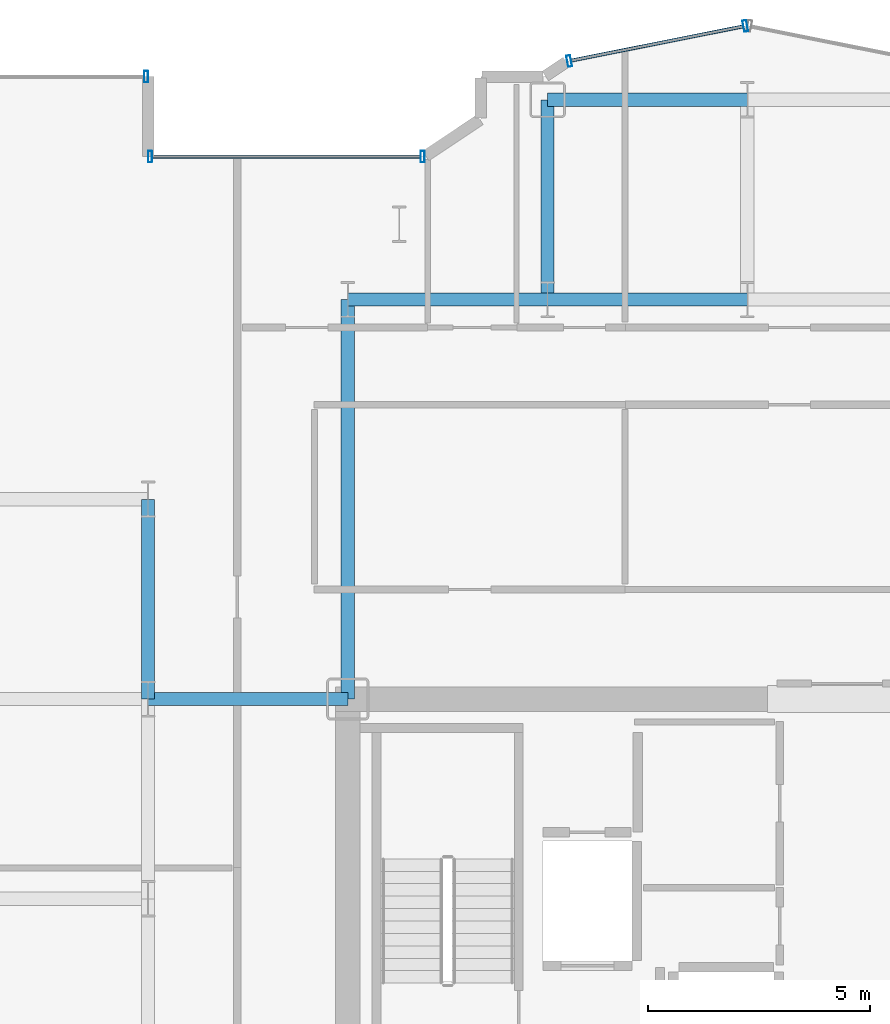
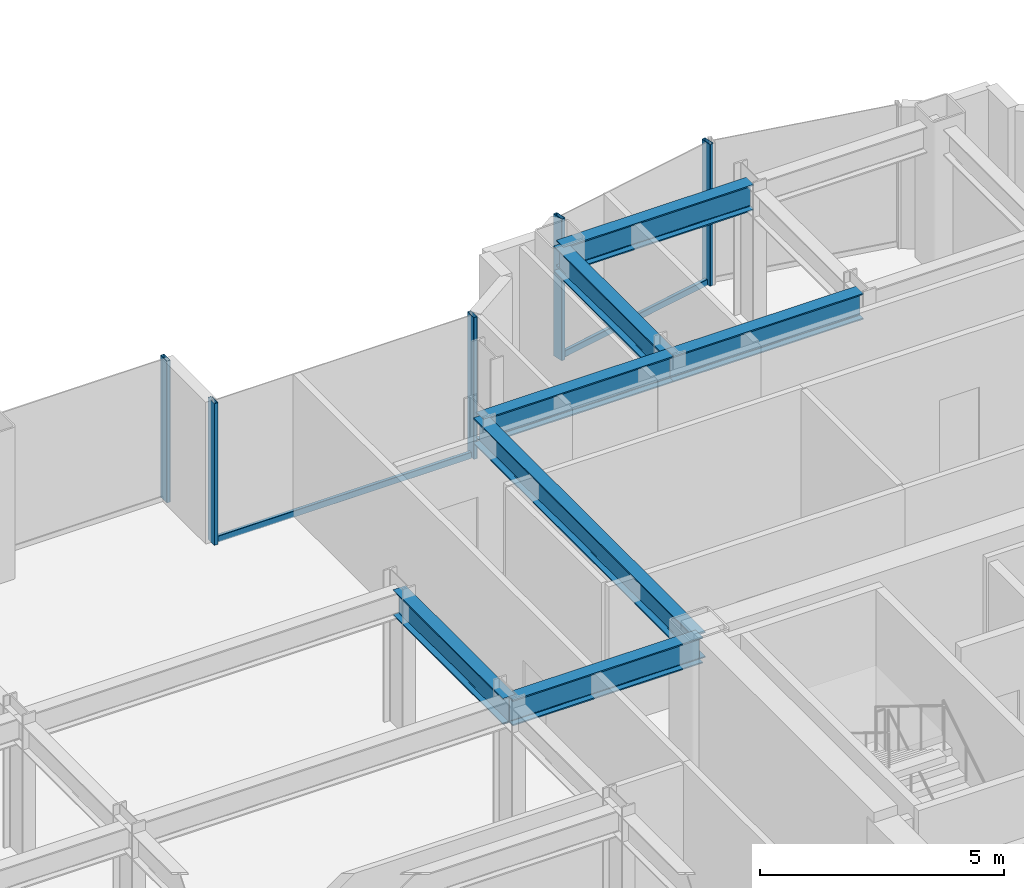
# One storey, part 11 of 23: 7 beams, 7 members, 3 elements without a shape of their own.
"""IFC4 building model written with IfcOpenShell, lengths in metres."""

from ifc_helpers import new_model, si_unit, direction, frame, origin, origin_2d, place, context, subcontext, project, spatial, hollow_rectangle, i_section, extrude, source, transform, mapped, material, layer, layer_set, material_profile, profile_set, type_object, element, aggregate, save


model = new_model("IFC4")

# Units and contexts
model_context = context("Model", 3, precision=1e-05, world=origin(), true_north=direction((0.0, 1.0)))
body_context = subcontext(model_context, "Body", "Model", "MODEL_VIEW")
ifc_project = project(units=[si_unit("LENGTHUNIT", "METRE"), si_unit("AREAUNIT", "SQUARE_METRE"), si_unit("VOLUMEUNIT", "CUBIC_METRE"), si_unit("PLANEANGLEUNIT", "RADIAN"), si_unit("MASSUNIT", "GRAM", prefix="KILO")], contexts=[model_context])

# Site, building, storey
site_placement = place(None, origin())
site = spatial("IfcSite", under=ifc_project, at=site_placement, CompositionType="ELEMENT")
building_placement = place(site_placement, origin())
building = spatial("IfcBuilding", under=site, at=building_placement, Name="Nefas-Gora Pilgrimage Tower", CompositionType="ELEMENT")
storey_placement = place(building_placement, frame((0.0, 0.0, 152.60009765625)))
storey = spatial("IfcBuildingStorey", under=building, at=storey_placement, Name="L37", CompositionType="ELEMENT", Elevation=152.60009765625)

# Beams
ifc_material_1 = material(Name="Steel S355", Category="steel")
ifc_material_profile_1 = material_profile(ifc_material_1, i_section(OverallWidth=0.300048828125, OverallDepth=0.64990234375, WebThickness=0.01611328125, FlangeThickness=0.031005859375, FilletRadius=0.027099609375, at=origin_2d()), Name="HEB 650")
ifc_profile_set_1 = profile_set([ifc_material_profile_1], Name="Steel S355")
beam_type = type_object("IfcBeamType", Name="BM-GIR-HEB650", PredefinedType="BEAM", material=ifc_profile_set_1)
shared_shape_1 = source(origin(), body_context, "Body", "SweptSolid", [
    extrude(i_section(OverallWidth=0.300048828125, OverallDepth=0.64990234375, WebThickness=0.01611328125, FlangeThickness=0.031005859375, FilletRadius=0.027099609375, at=origin_2d()), origin(), (0.0, 0.0, 1.0), 9.0),
])
beam_placement = place(storey_placement, frame((-11.25, 9.0, 3.224853515625), z_axis=(0.0, 1.0, 0.0), x_axis=(-1.0, 0.0, 0.0)))
element("IfcBeam", 1, at=beam_placement, inside=storey, type_object=beam_type, Name="L37 G-03 beam", PredefinedType="BEAM", context=body_context, shape_type="MappedRepresentation", body=[
    mapped(shared_shape_1, transform((0.0, 0.0, 0.0), x_axis=(1.0, 0.0, 0.0), y_axis=(0.0, 1.0, 0.0), z_axis=(0.0, 0.0, 1.0), scale=1.0)),
])
shared_shape_2 = source(origin(), body_context, "Body", "SweptSolid", [
    extrude(i_section(OverallWidth=0.300048828125, OverallDepth=0.64990234375, WebThickness=0.01611328125, FlangeThickness=0.031005859375, FilletRadius=0.027099609375, at=origin_2d()), origin(), (0.0, 0.0, 1.0), 4.5),
])
for number, where, z_axis, x_axis, name in (
    (2, (-15.75, 9.0, 3.224853515625), (0.0, 1.0, 0.0), (-1.0, 0.0, 0.0), "L37 G-03 beam"),
    (3, (-15.75, 9.0, 3.224853515625), (1.0, 0.0, 0.0), (0.0, 1.0, 0.0), "L37 G-03 beam"),
    (4, (-11.25, 18.0, 3.224853515625), (1.0, 0.0, 0.0), (0.0, 1.0, 0.0), "L37 G-03 beam"),
    (5, (-6.75, 18.0, 3.224853515625), (0.0, 1.0, 0.0), (-1.0, 0.0, 0.0), "L37 G-03 beam"),
    (6, (-6.75, 18.0, 3.224853515625), (1.0, 0.0, 0.0), (0.0, 1.0, 0.0), "L37 G-03 beam"),
    (7, (-6.75, 22.5, 3.224853515625), (1.0, 0.0, 0.0), (0.0, 1.0, 0.0), "L37 G-03 beam"),
):
    element("IfcBeam", number, at=place(storey_placement, frame(where, z_axis=z_axis, x_axis=x_axis)), inside=storey, type_object=beam_type, Name=name, PredefinedType="BEAM", context=body_context, shape_type="MappedRepresentation", body=[
        mapped(shared_shape_2, transform((0.0, 0.0, 0.0), x_axis=(1.0, 0.0, 0.0), y_axis=(0.0, 1.0, 0.0), z_axis=(0.0, 0.0, 1.0), scale=1.0)),
    ])

# Curtain wall, member
ifc_material_2 = material(Name="Dark ceramic-fritted solar-control aluminium-glass curtain wall", Category="aluminium")
ifc_layer_1 = layer(ifc_material_2, 0.219970703125)
ifc_layer_set_1 = layer_set([ifc_layer_1], Name="Dark ceramic-fritted solar-control aluminium-glass curtain wall")
curtain_wall_type_1 = type_object("IfcCurtainWallType", Name="CW-SYS-5", PredefinedType="NOTDEFINED", material=ifc_layer_set_1)
curtain_wall_1_placement = place(storey_placement, origin())
curtain_wall_1 = element("IfcCurtainWall", 8, at=curtain_wall_1_placement, inside=storey, type_object=curtain_wall_type_1, Name="L37 Unitised Curtain Wall CW5", PredefinedType="NOTDEFINED")
ifc_material_3 = material(Name="Anodised architectural aluminium", Category="aluminium")
ifc_material_profile_2 = material_profile(ifc_material_3, hollow_rectangle(XDim=0.080078125, YDim=0.159912109375, WallThickness=0.00439453125, InnerFilletRadius=0.00439453125, OuterFilletRadius=0.009033203125, at=origin_2d()), Name="ALU TRANSOM 80x160")
ifc_profile_set_2 = profile_set([ifc_material_profile_2], Name="Anodised architectural aluminium")
member_type_1 = type_object("IfcMemberType", Name="CWM-TRN-5", PredefinedType="USERDEFINED", material=ifc_profile_set_2)
shared_shape_3 = source(origin(), body_context, "Body", "SweptSolid", [
    extrude(hollow_rectangle(XDim=0.080078125, YDim=0.159912109375, WallThickness=0.00439453125, InnerFilletRadius=0.00439453125, OuterFilletRadius=0.009033203125, at=origin_2d()), origin(), (0.0, 0.0, 1.0), 6.052001953125),
])
member_1_placement = place(storey_placement, frame((-9.60791015625, 21.219970703125, 0.0498046875), z_axis=(-1.0, 0.0, 0.0), x_axis=(0.0, -1.0, 0.0)))
member_1 = element("IfcMember", 9, at=member_1_placement, type_object=member_type_1, Name="CW5 Spandrel Transom", ObjectType="TRANSOM", PredefinedType="USERDEFINED", context=body_context, shape_type="MappedRepresentation", body=[
    mapped(shared_shape_3, transform((0.0, 0.0, 0.0), x_axis=(1.0, 0.0, 0.0), y_axis=(0.0, 1.0, 0.0), z_axis=(0.0, 0.0, 1.0), scale=1.0)),
])

# Curtain wall, members
curtain_wall_2_placement = place(storey_placement, origin())
curtain_wall_2 = element("IfcCurtainWall", 10, at=curtain_wall_2_placement, inside=storey, type_object=curtain_wall_type_1, Name="L37 Unitised Curtain Wall CW5", PredefinedType="NOTDEFINED")
shared_shape_4 = source(origin(), body_context, "Body", "SweptSolid", [
    extrude(hollow_rectangle(XDim=0.080078125, YDim=0.159912109375, WallThickness=0.00439453125, InnerFilletRadius=0.00439453125, OuterFilletRadius=0.009033203125, at=origin_2d()), origin(), (0.0, 0.0, 1.0), 3.95654296875),
])
member_2_placement = place(storey_placement, frame((-2.33837890625, 24.15478515625, 0.0498046875), z_axis=(-0.980781880918, -0.195107411605, 0.0), x_axis=(0.195107411605, -0.980781880918, 0.0)))
member_2 = element("IfcMember", 11, at=member_2_placement, type_object=member_type_1, Name="CW5 Spandrel Transom", ObjectType="TRANSOM", PredefinedType="USERDEFINED", context=body_context, shape_type="MappedRepresentation", body=[
    mapped(shared_shape_4, transform((0.0, 0.0, 0.0), x_axis=(1.0, 0.0, 0.0), y_axis=(0.0, 1.0, 0.0), z_axis=(0.0, 0.0, 1.0), scale=1.0)),
])
ifc_material_profile_3 = material_profile(ifc_material_3, hollow_rectangle(XDim=0.090087890625, YDim=0.260009765625, WallThickness=0.006103515625, InnerFilletRadius=0.006103515625, OuterFilletRadius=0.011962890625, at=origin_2d()), Name="ALU MULLION 90x260")
ifc_profile_set_3 = profile_set([ifc_material_profile_3], Name="Anodised architectural aluminium")
member_type_2 = type_object("IfcMemberType", Name="CWM-MUL-5", PredefinedType="MULLION", material=ifc_profile_set_3)
shared_shape_5 = source(origin(), body_context, "Body", "SweptSolid", [
    extrude(hollow_rectangle(XDim=0.090087890625, YDim=0.260009765625, WallThickness=0.006103515625, InnerFilletRadius=0.006103515625, OuterFilletRadius=0.011962890625, at=origin_2d()), origin(), (0.0, 0.0, 1.0), 3.5498046875),
])
member_3_placement = place(storey_placement, frame((-2.294189453125, 24.16357421875, 0.0), z_axis=(0.0, 0.0, 1.0), x_axis=(-0.980782896852, -0.195102304554, 0.0)))
member_3 = element("IfcMember", 12, at=member_3_placement, type_object=member_type_2, Name="CW5 Mullion 1", PredefinedType="MULLION", context=body_context, shape_type="MappedRepresentation", body=[
    mapped(shared_shape_5, transform((0.0, 0.0, 0.0), x_axis=(1.0, 0.0, 0.0), y_axis=(0.0, 1.0, 0.0), z_axis=(0.0, 0.0, 1.0), scale=1.0)),
])
member_4_placement = place(storey_placement, frame((-6.26318359375, 23.3740234375, 0.0), z_axis=(0.0, 0.0, 1.0), x_axis=(-0.980782896852, -0.195102304554, 0.0)))
member_4 = element("IfcMember", 13, at=member_4_placement, type_object=member_type_2, Name="CW5 Mullion 2", PredefinedType="MULLION", context=body_context, shape_type="MappedRepresentation", body=[
    mapped(shared_shape_5, transform((0.0, 0.0, 0.0), x_axis=(1.0, 0.0, 0.0), y_axis=(0.0, 1.0, 0.0), z_axis=(0.0, 0.0, 1.0), scale=1.0)),
])
aggregate(curtain_wall_2, [member_3, member_4, member_2])

# Member
member_5_placement = place(storey_placement, frame((-9.56298828125, 21.219970703125, 0.0), z_axis=(0.0, 0.0, 1.0), x_axis=(-1.0, 0.0, 0.0)))
member_5 = element("IfcMember", 14, at=member_5_placement, type_object=member_type_2, Name="CW5 Mullion 1", PredefinedType="MULLION", context=body_context, shape_type="MappedRepresentation", body=[
    mapped(shared_shape_5, transform((0.0, 0.0, 0.0), x_axis=(1.0, 0.0, 0.0), y_axis=(0.0, 1.0, 0.0), z_axis=(0.0, 0.0, 1.0), scale=1.0)),
])

member_6_placement = place(storey_placement, frame((-15.705078125, 21.219970703125, 0.0), z_axis=(0.0, 0.0, 1.0), x_axis=(-1.0, 0.0, 0.0)))
member_6 = element("IfcMember", 15, at=member_6_placement, type_object=member_type_2, Name="CW5 Mullion 2", PredefinedType="MULLION", context=body_context, shape_type="MappedRepresentation", body=[
    mapped(shared_shape_5, transform((0.0, 0.0, 0.0), x_axis=(1.0, 0.0, 0.0), y_axis=(0.0, 1.0, 0.0), z_axis=(0.0, 0.0, 1.0), scale=1.0)),
])

aggregate(curtain_wall_1, [member_5, member_6, member_1])

# Curtain wall, member
ifc_layer_2 = layer(ifc_material_2, 0.219970703125)
ifc_layer_set_2 = layer_set([ifc_layer_2], Name="Dark ceramic-fritted solar-control aluminium-glass curtain wall")
curtain_wall_type_2 = type_object("IfcCurtainWallType", Name="CW-SYS-3", PredefinedType="NOTDEFINED", material=ifc_layer_set_2)
curtain_wall_3_placement = place(storey_placement, origin())
curtain_wall_3 = element("IfcCurtainWall", 16, at=curtain_wall_3_placement, inside=storey, type_object=curtain_wall_type_2, Name="L37 Unitised Curtain Wall CW3", PredefinedType="NOTDEFINED")
ifc_material_profile_4 = material_profile(ifc_material_3, hollow_rectangle(XDim=0.090087890625, YDim=0.260009765625, WallThickness=0.006103515625, InnerFilletRadius=0.006103515625, OuterFilletRadius=0.011962890625, at=origin_2d()), Name="ALU MULLION 90x260")
ifc_profile_set_4 = profile_set([ifc_material_profile_4], Name="Anodised architectural aluminium")
member_type_3 = type_object("IfcMemberType", Name="CWM-MUL-3", PredefinedType="MULLION", material=ifc_profile_set_4)
shared_shape_6 = source(origin(), body_context, "Body", "SweptSolid", [
    extrude(hollow_rectangle(XDim=0.090087890625, YDim=0.260009765625, WallThickness=0.006103515625, InnerFilletRadius=0.006103515625, OuterFilletRadius=0.011962890625, at=origin_2d()), origin(), (0.0, 0.0, 1.0), 3.5498046875),
])
member_7_placement = place(storey_placement, frame((-15.794921875, 23.02001953125, 0.0), z_axis=(0.0, 0.0, 1.0), x_axis=(-1.0, 0.0, 0.0)))
member_7 = element("IfcMember", 17, at=member_7_placement, type_object=member_type_3, Name="CW3 Mullion 1", PredefinedType="MULLION", context=body_context, shape_type="MappedRepresentation", body=[
    mapped(shared_shape_6, transform((0.0, 0.0, 0.0), x_axis=(1.0, 0.0, 0.0), y_axis=(0.0, 1.0, 0.0), z_axis=(0.0, 0.0, 1.0), scale=1.0)),
])
aggregate(curtain_wall_3, [member_7])

save(model, "model.ifc")
